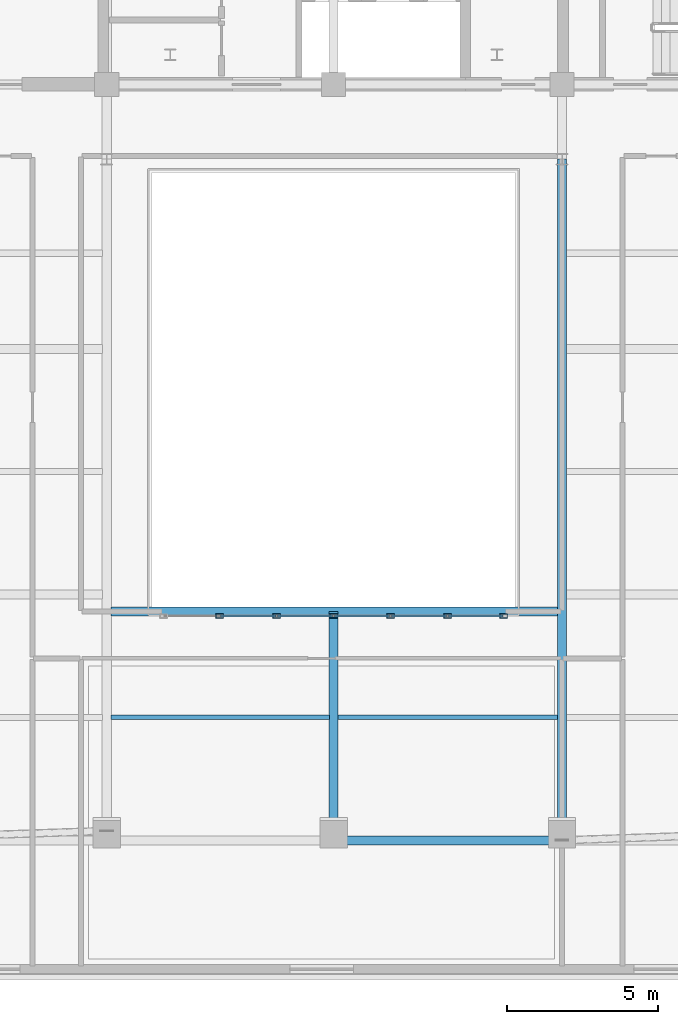
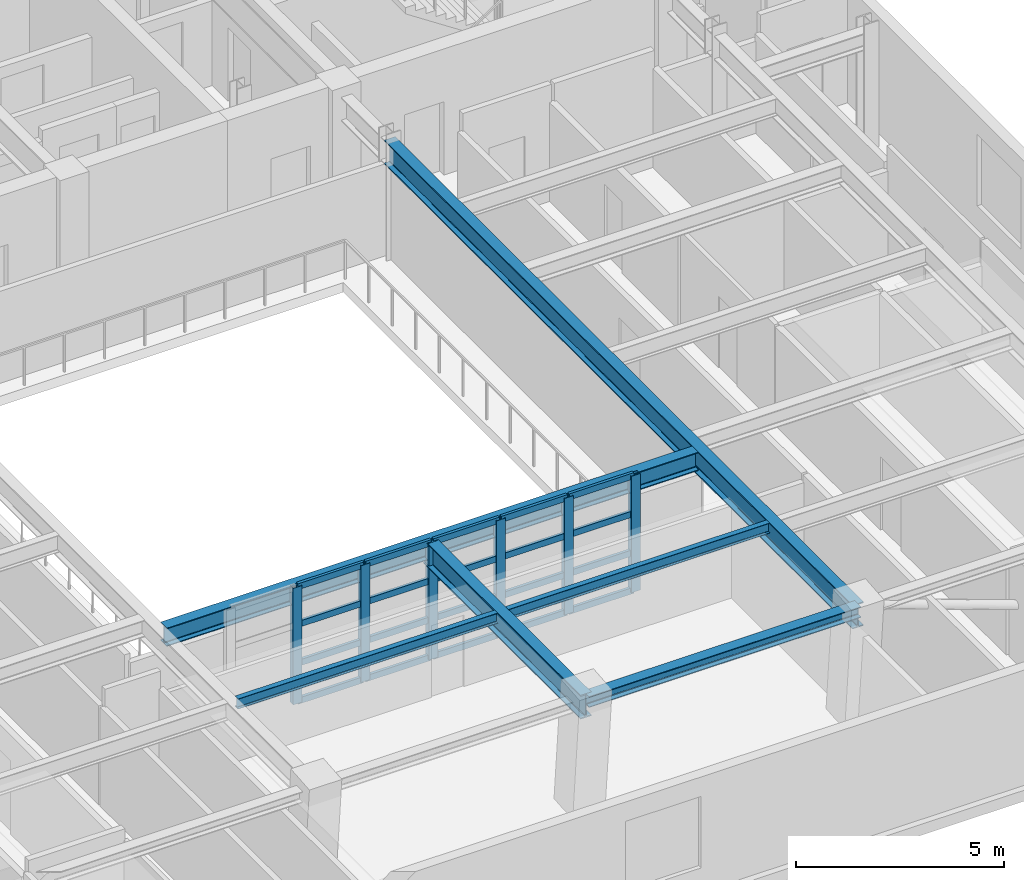
# One storey, part 3 of 13: 26 members, 6 beams, 1 element without a shape of its own.
"""IFC4 building model written with IfcOpenShell, lengths in metres."""

from ifc_helpers import new_model, si_unit, direction, frame, origin, origin_2d, place, context, subcontext, project, spatial, hollow_rectangle, i_section, extrude, material, layer, layer_set, material_profile, profile_set, type_object, element, aggregate, save


model = new_model("IFC4")

# Units and contexts
model_context = context("Model", 3, precision=1e-05, world=origin(), true_north=direction((0.0, 1.0)))
body_context = subcontext(model_context, "Body", "Model", "MODEL_VIEW")
ifc_project = project(units=[si_unit("LENGTHUNIT", "METRE"), si_unit("AREAUNIT", "SQUARE_METRE"), si_unit("VOLUMEUNIT", "CUBIC_METRE"), si_unit("PLANEANGLEUNIT", "RADIAN"), si_unit("MASSUNIT", "GRAM", prefix="KILO")], contexts=[model_context])

# Site, building, storey
site_placement = place(None, origin())
site = spatial("IfcSite", under=ifc_project, at=site_placement, CompositionType="ELEMENT")
building_placement = place(site_placement, origin())
building = spatial("IfcBuilding", under=site, at=building_placement, Name="Zarnavel Station Tower", CompositionType="ELEMENT")
storey_placement = place(building_placement, frame((0.0, 0.0, 254.699951171875)))
storey = spatial("IfcBuildingStorey", under=building, at=storey_placement, Name="L69", CompositionType="ELEMENT", Elevation=254.699951171875)

# Curtain wall, members
ifc_material_1 = material(Name="Aluminium Dark Anodised and Solar-Control Glass", Category="aluminium")
ifc_layer = layer(ifc_material_1, 0.179931640625)
ifc_layer_set = layer_set([ifc_layer], Name="CWS6")
curtain_wall_type = type_object("IfcCurtainWallType", Name="CWS6", PredefinedType="NOTDEFINED", material=ifc_layer_set)
curtain_wall_placement = place(storey_placement, origin())
curtain_wall = element("IfcCurtainWall", 1, at=curtain_wall_placement, inside=storey, type_object=curtain_wall_type, Name="L69 Curtain Wall CWS6-L69-AS", PredefinedType="NOTDEFINED")
ifc_material_2 = material(Name="Steel S355J2 (Black Fluoropolymer Coated)", Category="steel")
ifc_material_profile_1 = material_profile(ifc_material_2, hollow_rectangle(XDim=0.14990234375, YDim=0.25, WallThickness=0.010009765625, at=origin_2d()), Name="RHS250x150x10")
ifc_profile_set_1 = profile_set([ifc_material_profile_1], Name="Steel S355J2 (Black Fluoropolymer Coated)")
member_type_1 = type_object("IfcMemberType", Name="CWS6_MUL", PredefinedType="MULLION", material=ifc_profile_set_1)
member_1_placement = place(storey_placement, frame((25.033447265625, 10.25, 0.0), z_axis=(0.0, 0.0, 1.0), x_axis=(0.0, 1.0, 0.0)))
member_1 = element("IfcMember", 2, at=member_1_placement, type_object=member_type_1, Name="CW6 mullion 2", PredefinedType="MULLION", context=body_context, shape_type="SweptSolid", body=[
    extrude(hollow_rectangle(XDim=0.14990234375, YDim=0.25, WallThickness=0.010009765625, at=origin_2d()), origin(), (0.0, 0.0, 1.0), 3.420166015625),
])
member_2_placement = place(storey_placement, frame((26.916748046875, 10.25, 0.0), z_axis=(0.0, 0.0, 1.0), x_axis=(0.0, 1.0, 0.0)))
member_2 = element("IfcMember", 3, at=member_2_placement, type_object=member_type_1, Name="CW6 mullion 3", PredefinedType="MULLION", context=body_context, shape_type="SweptSolid", body=[
    extrude(hollow_rectangle(XDim=0.14990234375, YDim=0.25, WallThickness=0.010009765625, at=origin_2d()), origin(), (0.0, 0.0, 1.0), 3.420166015625),
])
member_3_placement = place(storey_placement, frame((28.800048828125, 10.25, 0.0), z_axis=(0.0, 0.0, 1.0), x_axis=(0.0, 1.0, 0.0)))
member_3 = element("IfcMember", 4, at=member_3_placement, type_object=member_type_1, Name="CW6 mullion 4", PredefinedType="MULLION", context=body_context, shape_type="SweptSolid", body=[
    extrude(hollow_rectangle(XDim=0.14990234375, YDim=0.25, WallThickness=0.010009765625, at=origin_2d()), origin(), (0.0, 0.0, 1.0), 3.420166015625),
])
member_4_placement = place(storey_placement, frame((30.683349609375, 10.25, 0.0), z_axis=(0.0, 0.0, 1.0), x_axis=(0.0, 1.0, 0.0)))
member_4 = element("IfcMember", 5, at=member_4_placement, type_object=member_type_1, Name="CW6 mullion 5", PredefinedType="MULLION", context=body_context, shape_type="SweptSolid", body=[
    extrude(hollow_rectangle(XDim=0.14990234375, YDim=0.25, WallThickness=0.010009765625, at=origin_2d()), origin(), (0.0, 0.0, 1.0), 3.420166015625),
])
member_5_placement = place(storey_placement, frame((32.566650390625, 10.25, 0.0), z_axis=(0.0, 0.0, 1.0), x_axis=(0.0, 1.0, 0.0)))
member_5 = element("IfcMember", 6, at=member_5_placement, type_object=member_type_1, Name="CW6 mullion 6", PredefinedType="MULLION", context=body_context, shape_type="SweptSolid", body=[
    extrude(hollow_rectangle(XDim=0.14990234375, YDim=0.25, WallThickness=0.010009765625, at=origin_2d()), origin(), (0.0, 0.0, 1.0), 3.420166015625),
])
member_6_placement = place(storey_placement, frame((34.419921875, 10.25, 0.0), z_axis=(0.0, 0.0, 1.0), x_axis=(0.0, 1.0, 0.0)))
member_6 = element("IfcMember", 7, at=member_6_placement, type_object=member_type_1, Name="CW6 mullion 7", PredefinedType="MULLION", context=body_context, shape_type="SweptSolid", body=[
    extrude(hollow_rectangle(XDim=0.14990234375, YDim=0.25, WallThickness=0.010009765625, at=origin_2d()), origin(), (0.0, 0.0, 1.0), 3.420166015625),
])
ifc_material_3 = material(Name="Steel S355J2 (Black Fluoropolymer Coated)", Category="steel")
ifc_material_profile_2 = material_profile(ifc_material_3, hollow_rectangle(XDim=0.080078125, YDim=0.179931640625, WallThickness=0.00634765625, at=origin_2d()), Name="RHS180x80x6.3")
ifc_profile_set_2 = profile_set([ifc_material_profile_2], Name="Steel S355J2 (Black Fluoropolymer Coated)")
member_type_2 = type_object("IfcMemberType", Name="CWS6_TRN", PredefinedType="USERDEFINED", material=ifc_profile_set_2)
member_7_placement = place(storey_placement, frame((25.063232421875, 10.25, 0.030029296875), z_axis=(1.0, 0.0, 0.0), x_axis=(0.0, 1.0, 0.0)))
member_7 = element("IfcMember", 8, at=member_7_placement, type_object=member_type_2, Name="CW6 transom 2.1", ObjectType="TRANSOM", PredefinedType="USERDEFINED", context=body_context, shape_type="SweptSolid", body=[
    extrude(hollow_rectangle(XDim=0.080078125, YDim=0.179931640625, WallThickness=0.00634765625, at=origin_2d()), origin(), (0.0, 0.0, 1.0), 1.823486328125),
])
member_8_placement = place(storey_placement, frame((25.063232421875, 10.25, 1.14013671875), z_axis=(1.0, 0.0, 0.0), x_axis=(0.0, 1.0, 0.0)))
member_8 = element("IfcMember", 9, at=member_8_placement, type_object=member_type_2, Name="CW6 transom 2.2", ObjectType="TRANSOM", PredefinedType="USERDEFINED", context=body_context, shape_type="SweptSolid", body=[
    extrude(hollow_rectangle(XDim=0.080078125, YDim=0.179931640625, WallThickness=0.00634765625, at=origin_2d()), origin(), (0.0, 0.0, 1.0), 1.823486328125),
])
member_9_placement = place(storey_placement, frame((25.063232421875, 10.25, 2.280029296875), z_axis=(1.0, 0.0, 0.0), x_axis=(0.0, 1.0, 0.0)))
member_9 = element("IfcMember", 10, at=member_9_placement, type_object=member_type_2, Name="CW6 transom 2.3", ObjectType="TRANSOM", PredefinedType="USERDEFINED", context=body_context, shape_type="SweptSolid", body=[
    extrude(hollow_rectangle(XDim=0.080078125, YDim=0.179931640625, WallThickness=0.00634765625, at=origin_2d()), origin(), (0.0, 0.0, 1.0), 1.823486328125),
])
member_10_placement = place(storey_placement, frame((25.063232421875, 10.25, 3.39013671875), z_axis=(1.0, 0.0, 0.0), x_axis=(0.0, 1.0, 0.0)))
member_10 = element("IfcMember", 11, at=member_10_placement, type_object=member_type_2, Name="CW6 transom 2.4", ObjectType="TRANSOM", PredefinedType="USERDEFINED", context=body_context, shape_type="SweptSolid", body=[
    extrude(hollow_rectangle(XDim=0.080078125, YDim=0.179931640625, WallThickness=0.00634765625, at=origin_2d()), origin(), (0.0, 0.0, 1.0), 1.823486328125),
])
member_11_placement = place(storey_placement, frame((26.94677734375, 10.25, 0.030029296875), z_axis=(1.0, 0.0, 0.0), x_axis=(0.0, 1.0, 0.0)))
member_11 = element("IfcMember", 12, at=member_11_placement, type_object=member_type_2, Name="CW6 transom 3.1", ObjectType="TRANSOM", PredefinedType="USERDEFINED", context=body_context, shape_type="SweptSolid", body=[
    extrude(hollow_rectangle(XDim=0.080078125, YDim=0.179931640625, WallThickness=0.00634765625, at=origin_2d()), origin(), (0.0, 0.0, 1.0), 1.8232421875),
])
member_12_placement = place(storey_placement, frame((26.94677734375, 10.25, 1.14013671875), z_axis=(1.0, 0.0, 0.0), x_axis=(0.0, 1.0, 0.0)))
member_12 = element("IfcMember", 13, at=member_12_placement, type_object=member_type_2, Name="CW6 transom 3.2", ObjectType="TRANSOM", PredefinedType="USERDEFINED", context=body_context, shape_type="SweptSolid", body=[
    extrude(hollow_rectangle(XDim=0.080078125, YDim=0.179931640625, WallThickness=0.00634765625, at=origin_2d()), origin(), (0.0, 0.0, 1.0), 1.8232421875),
])
member_13_placement = place(storey_placement, frame((26.94677734375, 10.25, 2.280029296875), z_axis=(1.0, 0.0, 0.0), x_axis=(0.0, 1.0, 0.0)))
member_13 = element("IfcMember", 14, at=member_13_placement, type_object=member_type_2, Name="CW6 transom 3.3", ObjectType="TRANSOM", PredefinedType="USERDEFINED", context=body_context, shape_type="SweptSolid", body=[
    extrude(hollow_rectangle(XDim=0.080078125, YDim=0.179931640625, WallThickness=0.00634765625, at=origin_2d()), origin(), (0.0, 0.0, 1.0), 1.8232421875),
])
member_14_placement = place(storey_placement, frame((26.94677734375, 10.25, 3.39013671875), z_axis=(1.0, 0.0, 0.0), x_axis=(0.0, 1.0, 0.0)))
member_14 = element("IfcMember", 15, at=member_14_placement, type_object=member_type_2, Name="CW6 transom 3.4", ObjectType="TRANSOM", PredefinedType="USERDEFINED", context=body_context, shape_type="SweptSolid", body=[
    extrude(hollow_rectangle(XDim=0.080078125, YDim=0.179931640625, WallThickness=0.00634765625, at=origin_2d()), origin(), (0.0, 0.0, 1.0), 1.8232421875),
])
member_15_placement = place(storey_placement, frame((28.830078125, 10.25, 0.030029296875), z_axis=(1.0, 0.0, 0.0), x_axis=(0.0, 1.0, 0.0)))
member_15 = element("IfcMember", 16, at=member_15_placement, type_object=member_type_2, Name="CW6 transom 4.1", ObjectType="TRANSOM", PredefinedType="USERDEFINED", context=body_context, shape_type="SweptSolid", body=[
    extrude(hollow_rectangle(XDim=0.080078125, YDim=0.179931640625, WallThickness=0.00634765625, at=origin_2d()), origin(), (0.0, 0.0, 1.0), 1.8232421875),
])
member_16_placement = place(storey_placement, frame((28.830078125, 10.25, 1.14013671875), z_axis=(1.0, 0.0, 0.0), x_axis=(0.0, 1.0, 0.0)))
member_16 = element("IfcMember", 17, at=member_16_placement, type_object=member_type_2, Name="CW6 transom 4.2", ObjectType="TRANSOM", PredefinedType="USERDEFINED", context=body_context, shape_type="SweptSolid", body=[
    extrude(hollow_rectangle(XDim=0.080078125, YDim=0.179931640625, WallThickness=0.00634765625, at=origin_2d()), origin(), (0.0, 0.0, 1.0), 1.8232421875),
])
member_17_placement = place(storey_placement, frame((28.830078125, 10.25, 2.280029296875), z_axis=(1.0, 0.0, 0.0), x_axis=(0.0, 1.0, 0.0)))
member_17 = element("IfcMember", 18, at=member_17_placement, type_object=member_type_2, Name="CW6 transom 4.3", ObjectType="TRANSOM", PredefinedType="USERDEFINED", context=body_context, shape_type="SweptSolid", body=[
    extrude(hollow_rectangle(XDim=0.080078125, YDim=0.179931640625, WallThickness=0.00634765625, at=origin_2d()), origin(), (0.0, 0.0, 1.0), 1.8232421875),
])
member_18_placement = place(storey_placement, frame((28.830078125, 10.25, 3.39013671875), z_axis=(1.0, 0.0, 0.0), x_axis=(0.0, 1.0, 0.0)))
member_18 = element("IfcMember", 19, at=member_18_placement, type_object=member_type_2, Name="CW6 transom 4.4", ObjectType="TRANSOM", PredefinedType="USERDEFINED", context=body_context, shape_type="SweptSolid", body=[
    extrude(hollow_rectangle(XDim=0.080078125, YDim=0.179931640625, WallThickness=0.00634765625, at=origin_2d()), origin(), (0.0, 0.0, 1.0), 1.8232421875),
])
member_19_placement = place(storey_placement, frame((30.71337890625, 10.25, 0.030029296875), z_axis=(1.0, 0.0, 0.0), x_axis=(0.0, 1.0, 0.0)))
member_19 = element("IfcMember", 20, at=member_19_placement, type_object=member_type_2, Name="CW6 transom 5.1", ObjectType="TRANSOM", PredefinedType="USERDEFINED", context=body_context, shape_type="SweptSolid", body=[
    extrude(hollow_rectangle(XDim=0.080078125, YDim=0.179931640625, WallThickness=0.00634765625, at=origin_2d()), origin(), (0.0, 0.0, 1.0), 1.8232421875),
])
member_20_placement = place(storey_placement, frame((30.71337890625, 10.25, 1.14013671875), z_axis=(1.0, 0.0, 0.0), x_axis=(0.0, 1.0, 0.0)))
member_20 = element("IfcMember", 21, at=member_20_placement, type_object=member_type_2, Name="CW6 transom 5.2", ObjectType="TRANSOM", PredefinedType="USERDEFINED", context=body_context, shape_type="SweptSolid", body=[
    extrude(hollow_rectangle(XDim=0.080078125, YDim=0.179931640625, WallThickness=0.00634765625, at=origin_2d()), origin(), (0.0, 0.0, 1.0), 1.8232421875),
])
member_21_placement = place(storey_placement, frame((30.71337890625, 10.25, 2.280029296875), z_axis=(1.0, 0.0, 0.0), x_axis=(0.0, 1.0, 0.0)))
member_21 = element("IfcMember", 22, at=member_21_placement, type_object=member_type_2, Name="CW6 transom 5.3", ObjectType="TRANSOM", PredefinedType="USERDEFINED", context=body_context, shape_type="SweptSolid", body=[
    extrude(hollow_rectangle(XDim=0.080078125, YDim=0.179931640625, WallThickness=0.00634765625, at=origin_2d()), origin(), (0.0, 0.0, 1.0), 1.8232421875),
])
member_22_placement = place(storey_placement, frame((30.71337890625, 10.25, 3.39013671875), z_axis=(1.0, 0.0, 0.0), x_axis=(0.0, 1.0, 0.0)))
member_22 = element("IfcMember", 23, at=member_22_placement, type_object=member_type_2, Name="CW6 transom 5.4", ObjectType="TRANSOM", PredefinedType="USERDEFINED", context=body_context, shape_type="SweptSolid", body=[
    extrude(hollow_rectangle(XDim=0.080078125, YDim=0.179931640625, WallThickness=0.00634765625, at=origin_2d()), origin(), (0.0, 0.0, 1.0), 1.8232421875),
])
member_23_placement = place(storey_placement, frame((32.5966796875, 10.25, 0.030029296875), z_axis=(1.0, 0.0, 0.0), x_axis=(0.0, 1.0, 0.0)))
member_23 = element("IfcMember", 24, at=member_23_placement, type_object=member_type_2, Name="CW6 transom 6.1", ObjectType="TRANSOM", PredefinedType="USERDEFINED", context=body_context, shape_type="SweptSolid", body=[
    extrude(hollow_rectangle(XDim=0.080078125, YDim=0.179931640625, WallThickness=0.00634765625, at=origin_2d()), origin(), (0.0, 0.0, 1.0), 1.793212890625),
])
member_24_placement = place(storey_placement, frame((32.5966796875, 10.25, 1.14013671875), z_axis=(1.0, 0.0, 0.0), x_axis=(0.0, 1.0, 0.0)))
member_24 = element("IfcMember", 25, at=member_24_placement, type_object=member_type_2, Name="CW6 transom 6.2", ObjectType="TRANSOM", PredefinedType="USERDEFINED", context=body_context, shape_type="SweptSolid", body=[
    extrude(hollow_rectangle(XDim=0.080078125, YDim=0.179931640625, WallThickness=0.00634765625, at=origin_2d()), origin(), (0.0, 0.0, 1.0), 1.793212890625),
])
member_25_placement = place(storey_placement, frame((32.5966796875, 10.25, 2.280029296875), z_axis=(1.0, 0.0, 0.0), x_axis=(0.0, 1.0, 0.0)))
member_25 = element("IfcMember", 26, at=member_25_placement, type_object=member_type_2, Name="CW6 transom 6.3", ObjectType="TRANSOM", PredefinedType="USERDEFINED", context=body_context, shape_type="SweptSolid", body=[
    extrude(hollow_rectangle(XDim=0.080078125, YDim=0.179931640625, WallThickness=0.00634765625, at=origin_2d()), origin(), (0.0, 0.0, 1.0), 1.793212890625),
])
member_26_placement = place(storey_placement, frame((32.5966796875, 10.25, 3.39013671875), z_axis=(1.0, 0.0, 0.0), x_axis=(0.0, 1.0, 0.0)))
member_26 = element("IfcMember", 27, at=member_26_placement, type_object=member_type_2, Name="CW6 transom 6.4", ObjectType="TRANSOM", PredefinedType="USERDEFINED", context=body_context, shape_type="SweptSolid", body=[
    extrude(hollow_rectangle(XDim=0.080078125, YDim=0.179931640625, WallThickness=0.00634765625, at=origin_2d()), origin(), (0.0, 0.0, 1.0), 1.793212890625),
])
aggregate(curtain_wall, [member_1, member_2, member_3, member_4, member_5, member_6, member_7, member_8, member_9, member_10, member_11, member_12, member_13, member_14, member_15, member_16, member_17, member_18, member_19, member_20, member_21, member_22, member_23, member_24, member_25, member_26])

# Beams
ifc_material_4 = material(Name="Steel S355J2", Category="steel")
ifc_material_profile_3 = material_profile(ifc_material_4, i_section(OverallWidth=0.300048828125, OverallDepth=0.320068359375, WebThickness=0.011474609375, FlangeThickness=0.0205078125, FilletRadius=0.027099609375, at=origin_2d()), Name="HEB320")
ifc_profile_set_3 = profile_set([ifc_material_profile_3], Name="Steel S355J2")
beam_type_1 = type_object("IfcBeamType", Name="EB_HEB320", PredefinedType="SPANDREL", material=ifc_profile_set_3)
beam_1_placement = place(storey_placement, frame((28.800048828125, 2.837158203125, 3.260009765625), z_axis=(1.0, 0.0, 0.0), x_axis=(0.0, 1.0, 0.0)))
element("IfcBeam", 28, at=beam_1_placement, inside=storey, type_object=beam_type_1, Name="L69 South Raked Spandrel 3", PredefinedType="SPANDREL", context=body_context, shape_type="SweptSolid", body=[
    extrude(i_section(OverallWidth=0.300048828125, OverallDepth=0.320068359375, WebThickness=0.011474609375, FlangeThickness=0.0205078125, FilletRadius=0.027099609375, at=origin_2d()), origin(), (0.0, 0.0, 1.0), 7.550048828125),
])
ifc_material_5 = material(Name="Steel S355J2", Category="steel")
ifc_material_profile_4 = material_profile(ifc_material_5, i_section(OverallWidth=0.300048828125, OverallDepth=0.5400390625, WebThickness=0.012451171875, FlangeThickness=0.02392578125, FilletRadius=0.027099609375, at=origin_2d()), Name="HEA550")
ifc_profile_set_4 = profile_set([ifc_material_profile_4], Name="Steel S355J2")
beam_type_2 = type_object("IfcBeamType", Name="FB_HEA550", PredefinedType="BEAM", material=ifc_profile_set_4)
beam_2_placement = place(storey_placement, frame((21.445068359375, 10.39990234375, 3.150146484375), z_axis=(1.0, 0.0, 0.0), x_axis=(0.0, 1.0, 0.0)))
element("IfcBeam", 29, at=beam_2_placement, inside=storey, type_object=beam_type_2, Name="L69 Atrium South Edge Girder", PredefinedType="BEAM", context=body_context, shape_type="SweptSolid", body=[
    extrude(i_section(OverallWidth=0.300048828125, OverallDepth=0.5400390625, WebThickness=0.012451171875, FlangeThickness=0.02392578125, FilletRadius=0.027099609375, at=origin_2d()), origin(), (0.0, 0.0, 1.0), 14.760009765625),
])
ifc_material_6 = material(Name="Steel S355J2", Category="steel")
ifc_material_profile_5 = material_profile(ifc_material_6, i_section(OverallWidth=0.300048828125, OverallDepth=0.699951171875, WebThickness=0.01708984375, FlangeThickness=0.031982421875, FilletRadius=0.027099609375, at=origin_2d()), Name="HEB700")
ifc_profile_set_5 = profile_set([ifc_material_profile_5], Name="Steel S355J2")
beam_type_3 = type_object("IfcBeamType", Name="FG_HEB700", PredefinedType="USERDEFINED", material=ifc_profile_set_5)
beam_3_placement = place(storey_placement, frame((28.800048828125, 2.837158203125, 3.070068359375), z_axis=(0.0, 1.0, 0.0), x_axis=(-1.0, 0.0, 0.0)))
element("IfcBeam", 30, at=beam_3_placement, inside=storey, type_object=beam_type_3, Name="L69 Central Atrium-South Girder", ObjectType="GIRDER", PredefinedType="USERDEFINED", context=body_context, shape_type="SweptSolid", body=[
    extrude(i_section(OverallWidth=0.300048828125, OverallDepth=0.699951171875, WebThickness=0.01708984375, FlangeThickness=0.031982421875, FilletRadius=0.027099609375, at=origin_2d()), origin(), (0.0, 0.0, 1.0), 7.562744140625),
])
beam_4_placement = place(storey_placement, frame((36.35009765625, 2.837158203125, 3.070068359375), z_axis=(0.0, 1.0, 0.0), x_axis=(-1.0, 0.0, 0.0)))
element("IfcBeam", 31, at=beam_4_placement, inside=storey, type_object=beam_type_3, Name="L69 South-Zone NS Girder 4", ObjectType="GIRDER", PredefinedType="USERDEFINED", context=body_context, shape_type="SweptSolid", body=[
    extrude(i_section(OverallWidth=0.300048828125, OverallDepth=0.699951171875, WebThickness=0.01708984375, FlangeThickness=0.031982421875, FilletRadius=0.027099609375, at=origin_2d()), origin(), (0.0, 0.0, 1.0), 22.512939453125),
])
ifc_material_7 = material(Name="Steel S355J2", Category="steel")
ifc_material_profile_6 = material_profile(ifc_material_7, i_section(OverallWidth=0.14990234375, OverallDepth=0.300048828125, WebThickness=0.007080078125, FlangeThickness=0.0107421875, FilletRadius=0.014892578125, at=origin_2d()), Name="IPE300")
ifc_profile_set_6 = profile_set([ifc_material_profile_6], Name="Steel S355J2")
beam_type_4 = type_object("IfcBeamType", Name="FJ_IPE300", PredefinedType="JOIST", material=ifc_profile_set_6)
beam_5_placement = place(storey_placement, frame((21.445068359375, 6.897705078125, 3.27001953125), z_axis=(1.0, 0.0, 0.0), x_axis=(0.0, 1.0, 0.0)))
element("IfcBeam", 32, at=beam_5_placement, inside=storey, type_object=beam_type_4, Name="L69 Mid-West Joist 1", PredefinedType="JOIST", context=body_context, shape_type="SweptSolid", body=[
    extrude(i_section(OverallWidth=0.14990234375, OverallDepth=0.300048828125, WebThickness=0.007080078125, FlangeThickness=0.0107421875, FilletRadius=0.014892578125, at=origin_2d()), origin(), (0.0, 0.0, 1.0), 7.2099609375),
])
beam_6_placement = place(storey_placement, frame((28.945068359375, 6.897705078125, 3.27001953125), z_axis=(1.0, 0.0, 0.0), x_axis=(0.0, 1.0, 0.0)))
element("IfcBeam", 33, at=beam_6_placement, inside=storey, type_object=beam_type_4, Name="L69 Mid-East Joist 1", PredefinedType="JOIST", context=body_context, shape_type="SweptSolid", body=[
    extrude(i_section(OverallWidth=0.14990234375, OverallDepth=0.300048828125, WebThickness=0.007080078125, FlangeThickness=0.0107421875, FilletRadius=0.014892578125, at=origin_2d()), origin(), (0.0, 0.0, 1.0), 7.260009765625),
])

save(model, "model.ifc")
